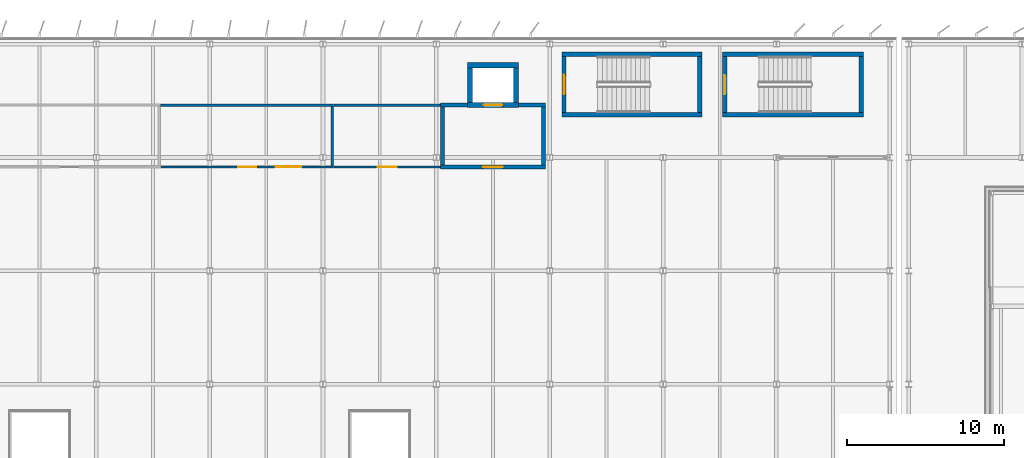
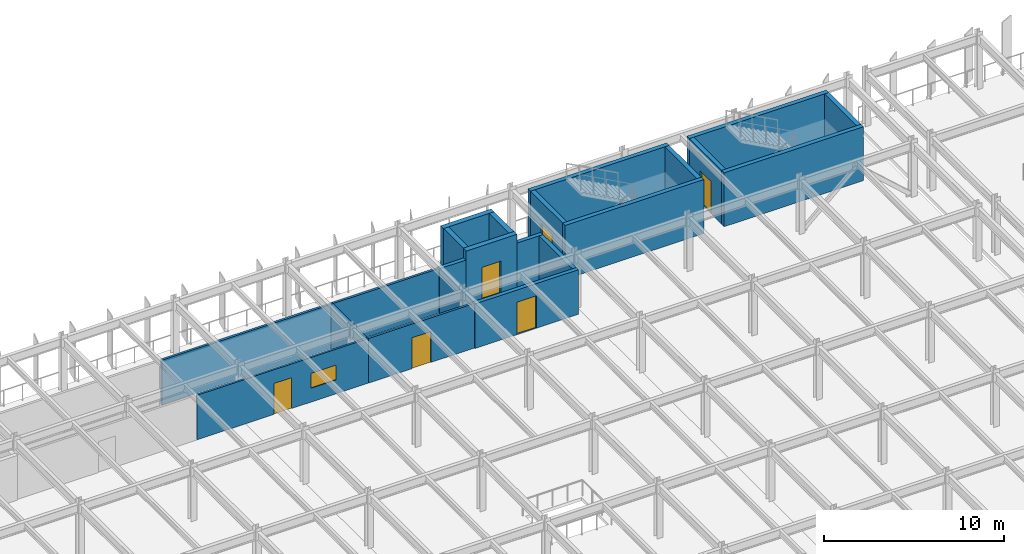
# One storey, part 35 of 52: 22 walls, 6 doors, 1 window, 7 openings.
"""IFC4 building model written with IfcOpenShell, lengths in metres."""

from ifc_helpers import new_model, si_unit, direction, frame, frame_2d, origin, place, context, subcontext, project, spatial, rectangle, extrude, material, layer, layer_set, type_object, element, fill, save


model = new_model("IFC4")

# Units and contexts
model_context = context("Model", 3, precision=1e-05, world=origin(), true_north=direction((0.0, 1.0)))
body_context = subcontext(model_context, "Body", "Model", "MODEL_VIEW")
ifc_project = project(units=[si_unit("LENGTHUNIT", "METRE"), si_unit("AREAUNIT", "SQUARE_METRE"), si_unit("VOLUMEUNIT", "CUBIC_METRE"), si_unit("PLANEANGLEUNIT", "RADIAN"), si_unit("MASSUNIT", "GRAM", prefix="KILO")], contexts=[model_context])

# Site, building, storey
site_placement = place(None, origin())
site = spatial("IfcSite", under=ifc_project, at=site_placement, CompositionType="ELEMENT")
building_placement = place(site_placement, origin())
building = spatial("IfcBuilding", under=site, at=building_placement, Name="Vaelcorin Mobility Hub", CompositionType="ELEMENT")
storey_placement = place(building_placement, frame((0.0, 0.0, 13.199951171875)))
storey = spatial("IfcBuildingStorey", under=building, at=storey_placement, Name="L03", CompositionType="ELEMENT", Elevation=13.199951171875)

# Walls
ifc_material_1 = material(Name="Reinforced concrete f'c 45 MPa", Category="concrete")
ifc_layer_1 = layer(ifc_material_1, 0.27490234375)
ifc_layer_set_1 = layer_set([ifc_layer_1], Name="Reinforced concrete f'c 45 MPa")
wall_type_1 = type_object("IfcWallType", Name="WL-CORE-275", PredefinedType="SOLIDWALL", material=ifc_layer_set_1)
for number, where, z_axis, x_axis, name in (
    (1, (110.47509765625, 115.511962890625, 0.0), (0.0, 0.0, 1.0), (-1.0, 0.0, 0.0), "ST4 Fire Core Wall L03 South"),
    (2, (101.574951171875, 119.347900390625, 0.0), (0.0, 0.0, 1.0), (1.0, 0.0, 0.0), "ST4 Fire Core Wall L03 North"),
):
    element("IfcWall", number, at=place(storey_placement, frame(where, z_axis=z_axis, x_axis=x_axis)), inside=storey, type_object=wall_type_1, Name=name, PredefinedType="SOLIDWALL", context=body_context, shape_type="SweptSolid", body=[
        extrude(rectangle(XDim=8.900146484375, YDim=0.27490234375, at=frame_2d((4.4501953125, 0.0))), origin(), (0.0, 0.0, 1.0), 3.66015625),
    ])

# Wall, opening, door
wall_1_placement = place(storey_placement, frame((101.7119140625, 115.64990234375, 0.0), z_axis=(0.0, 0.0, 1.0), x_axis=(0.0, 1.0, 0.0)))
wall_1 = element("IfcWall", 3, at=wall_1_placement, inside=storey, type_object=wall_type_1, Name="ST4 Fire Core Wall L03 West", PredefinedType="SOLIDWALL", context=body_context, shape_type="SweptSolid", body=[
    extrude(rectangle(XDim=3.56005859375, YDim=0.27490234375, at=frame_2d((1.780029296875, 0.0))), origin(), (0.0, 0.0, 1.0), 3.66015625),
])
opening_1_placement = place(wall_1_placement, frame((1.155029296875, 0.0, 0.0)))
opening_1 = element("IfcOpeningElement", 4, at=opening_1_placement, cuts=wall_1, Name="Opening SD02", PredefinedType="OPENING", context=body_context, shape_type="SweptSolid", body=[
    extrude(rectangle(XDim=1.25, YDim=2.199951171875, at=frame_2d((0.625, 1.10009765625))), frame((0.0, 0.1474609375, 0.0), z_axis=(0.0, -1.0, 0.0), x_axis=(1.0, 0.0, 0.0)), (0.0, 0.0, 1.0), 0.294921875),
])
ifc_material_2 = material(Name="Hollow-metal insulated steel fire door", Category="steel")
door_type_1 = type_object("IfcDoorType", Name="DR-STAIR-FF", OperationType="NOTDEFINED", PredefinedType="DOOR", material=ifc_material_2)
door_1_placement = place(opening_1_placement, origin())
door_1 = element("IfcDoor", 5, at=door_1_placement, inside=storey, type_object=door_type_1, Name="ST4 Protected Stair Door L03", OperationType="SINGLE_SWING_RIGHT", OverallHeight=2.199951171875, OverallWidth=1.25, PredefinedType="DOOR", context=body_context, shape_type="SweptSolid", body=[
    extrude(rectangle(XDim=1.25, YDim=2.199951171875, at=frame_2d((0.625, 1.10009765625))), frame((0.0, 0.02490234375, 0.0), z_axis=(0.0, -1.0, 0.0), x_axis=(1.0, 0.0, 0.0)), (0.0, 0.0, 1.0), 0.050048828125),
])
fill(opening_1, door_1)

# Walls
wall_2_placement = place(storey_placement, frame((110.337890625, 119.2099609375, 0.0), z_axis=(0.0, 0.0, 1.0), x_axis=(0.0, -1.0, 0.0)))
element("IfcWall", 6, at=wall_2_placement, inside=storey, type_object=wall_type_1, Name="ST4 Fire Core Wall L03 East", PredefinedType="SOLIDWALL", context=body_context, shape_type="SweptSolid", body=[
    extrude(rectangle(XDim=3.56005859375, YDim=0.27490234375, at=frame_2d((1.780029296875, 0.0))), origin(), (0.0, 0.0, 1.0), 3.66015625),
])
for number, where, z_axis, x_axis, name in (
    (7, (120.72509765625, 115.511962890625, 0.0), (0.0, 0.0, 1.0), (-1.0, 0.0, 0.0), "ST9 Fire Core Wall L03 South"),
    (8, (111.77490234375, 119.347900390625, 0.0), (0.0, 0.0, 1.0), (1.0, 0.0, 0.0), "ST9 Fire Core Wall L03 North"),
):
    element("IfcWall", number, at=place(storey_placement, frame(where, z_axis=z_axis, x_axis=x_axis)), inside=storey, type_object=wall_type_1, Name=name, PredefinedType="SOLIDWALL", context=body_context, shape_type="SweptSolid", body=[
        extrude(rectangle(XDim=8.9501953125, YDim=0.27490234375, at=frame_2d((4.47509765625, 0.0))), origin(), (0.0, 0.0, 1.0), 3.66015625),
    ])

# Wall, opening, door
wall_3_placement = place(storey_placement, frame((111.912109375, 115.64990234375, 0.0), z_axis=(0.0, 0.0, 1.0), x_axis=(0.0, 1.0, 0.0)))
wall_3 = element("IfcWall", 9, at=wall_3_placement, inside=storey, type_object=wall_type_1, Name="ST9 Fire Core Wall L03 West", PredefinedType="SOLIDWALL", context=body_context, shape_type="SweptSolid", body=[
    extrude(rectangle(XDim=3.56005859375, YDim=0.27490234375, at=frame_2d((1.780029296875, 0.0))), origin(), (0.0, 0.0, 1.0), 3.66015625),
])
opening_2_placement = place(wall_3_placement, frame((1.179931640625, 0.0, 0.0)))
opening_2 = element("IfcOpeningElement", 10, at=opening_2_placement, cuts=wall_3, Name="Opening SD01", PredefinedType="OPENING", context=body_context, shape_type="SweptSolid", body=[
    extrude(rectangle(XDim=1.199951171875, YDim=2.199951171875, at=frame_2d((0.60009765625, 1.10009765625))), frame((0.0, 0.1474609375, 0.0), z_axis=(0.0, -1.0, 0.0), x_axis=(1.0, 0.0, 0.0)), (0.0, 0.0, 1.0), 0.294921875),
])
door_type_2 = type_object("IfcDoorType", Name="DR-STAIR-90", OperationType="NOTDEFINED", PredefinedType="DOOR", material=ifc_material_2)
door_2_placement = place(opening_2_placement, origin())
door_2 = element("IfcDoor", 11, at=door_2_placement, inside=storey, type_object=door_type_2, Name="ST9 Protected Stair Door L03", OperationType="SINGLE_SWING_RIGHT", OverallHeight=2.199951171875, OverallWidth=1.199951171875, PredefinedType="DOOR", context=body_context, shape_type="SweptSolid", body=[
    extrude(rectangle(XDim=1.199951171875, YDim=2.199951171875, at=frame_2d((0.60009765625, 1.10009765625))), frame((0.0, 0.02490234375, 0.0), z_axis=(0.0, -1.0, 0.0), x_axis=(1.0, 0.0, 0.0)), (0.0, 0.0, 1.0), 0.050048828125),
])
fill(opening_2, door_2)

# Wall
wall_4_placement = place(storey_placement, frame((120.587890625, 119.2099609375, 0.0), z_axis=(0.0, 0.0, 1.0), x_axis=(0.0, -1.0, 0.0)))
element("IfcWall", 12, at=wall_4_placement, inside=storey, type_object=wall_type_1, Name="ST9 Fire Core Wall L03 East", PredefinedType="SOLIDWALL", context=body_context, shape_type="SweptSolid", body=[
    extrude(rectangle(XDim=3.56005859375, YDim=0.27490234375, at=frame_2d((1.780029296875, 0.0))), origin(), (0.0, 0.0, 1.0), 3.66015625),
])

# Wall, openings, door, window
ifc_material_3 = material(Name="Fire-rated acoustic steel-stud gypsum board", Category="steel")
ifc_layer_2 = layer(ifc_material_3, 0.1298828125)
ifc_layer_set_2 = layer_set([ifc_layer_2], Name="Fire-rated acoustic steel-stud gypsum board")
wall_type_2 = type_object("IfcWallType", Name="WL-PART-130", PredefinedType="PARTITIONING", material=ifc_layer_set_2)
wall_5_placement = place(storey_placement, frame((87.080078125, 112.199951171875, 0.0), z_axis=(0.0, 0.0, 1.0), x_axis=(-1.0, 0.0, 0.0)))
wall_5 = element("IfcWall", 13, at=wall_5_placement, inside=storey, type_object=wall_type_2, Name="Roof-Bridge Sky Waiting Lounge Partition South", PredefinedType="PARTITIONING", context=body_context, shape_type="SweptSolid", body=[
    extrude(rectangle(XDim=10.998046875, YDim=0.1298828125, at=frame_2d((5.4990234375, 0.0))), origin(), (0.0, 0.0, 1.0), 3.028076171875),
])
opening_3_placement = place(wall_5_placement, frame((4.924072265625, 0.0, 0.0)))
opening_3 = element("IfcOpeningElement", 14, at=opening_3_placement, cuts=wall_5, Name="Opening ID07", PredefinedType="OPENING", context=body_context, shape_type="SweptSolid", body=[
    extrude(rectangle(XDim=1.14990234375, YDim=2.10009765625, at=frame_2d((0.574951171875, 1.050048828125))), frame((0.0, 0.074951171875, 0.0), z_axis=(0.0, -1.0, 0.0), x_axis=(1.0, 0.0, 0.0)), (0.0, 0.0, 1.0), 0.14990234375),
])
opening_4_placement = place(wall_5_placement, frame((2.073974609375, 0.0, 0.949951171875)))
opening_4 = element("IfcOpeningElement", 15, at=opening_4_placement, cuts=wall_5, Name="Opening IW-WN04", PredefinedType="OPENING", context=body_context, shape_type="SweptSolid", body=[
    extrude(rectangle(XDim=1.60009765625, YDim=1.0, at=frame_2d((0.800048828125, 0.5))), frame((0.0, 0.074951171875, 0.0), z_axis=(0.0, -1.0, 0.0), x_axis=(1.0, 0.0, 0.0)), (0.0, 0.0, 1.0), 0.14990234375),
])
ifc_material_4 = material(Name="Solid-core hardwood fire door assembly", Category="wood")
door_type_3 = type_object("IfcDoorType", Name="DR-INT-07", OperationType="NOTDEFINED", PredefinedType="DOOR", material=ifc_material_4)
door_3_placement = place(opening_3_placement, origin())
door_3 = element("IfcDoor", 16, at=door_3_placement, inside=storey, type_object=door_type_3, Name="Roof-Bridge Sky Waiting Lounge Door", OperationType="SINGLE_SWING_LEFT", OverallHeight=2.10009765625, OverallWidth=1.14990234375, PredefinedType="DOOR", context=body_context, shape_type="SweptSolid", body=[
    extrude(rectangle(XDim=1.14990234375, YDim=2.10009765625, at=frame_2d((0.574951171875, 1.050048828125))), frame((0.0, 0.02490234375, 0.0), z_axis=(0.0, -1.0, 0.0), x_axis=(1.0, 0.0, 0.0)), (0.0, 0.0, 1.0), 0.050048828125),
])
fill(opening_3, door_3)
ifc_material_5 = material(Name="Acoustic laminated fire-rated interior glazing", Category="glass")
window_type = type_object("IfcWindowType", Name="WIN-INT-04", PartitioningType="SINGLE_PANEL", PredefinedType="WINDOW", material=ifc_material_5)
window_placement = place(opening_4_placement, origin())
window = element("IfcWindow", 17, at=window_placement, inside=storey, type_object=window_type, Name="Roof-Bridge Sky Waiting Lounge Observation Glazing", OverallHeight=1.0, OverallWidth=1.60009765625, PartitioningType="SINGLE_PANEL", PredefinedType="WINDOW", context=body_context, shape_type="SweptSolid", body=[
    extrude(rectangle(XDim=1.60009765625, YDim=1.0, at=frame_2d((0.800048828125, 0.5))), frame((0.0, 0.030029296875, 0.0), z_axis=(0.0, -1.0, 0.0), x_axis=(1.0, 0.0, 0.0)), (0.0, 0.0, 1.0), 0.06005859375),
])
fill(opening_4, window)

# Wall, opening, door
ifc_layer_3 = layer(ifc_material_3, 0.135009765625)
ifc_layer_set_3 = layer_set([ifc_layer_3], Name="Fire-rated acoustic steel-stud gypsum board")
wall_type_3 = type_object("IfcWallType", Name="WL-PART-135", PredefinedType="PARTITIONING", material=ifc_layer_set_3)
wall_6_placement = place(storey_placement, frame((93.873046875, 112.199951171875, 0.0), z_axis=(0.0, 0.0, 1.0), x_axis=(-1.0, 0.0, 0.0)))
wall_6 = element("IfcWall", 18, at=wall_6_placement, inside=storey, type_object=wall_type_3, Name="Accessible WC L03 Partition South", PredefinedType="PARTITIONING", context=body_context, shape_type="SweptSolid", body=[
    extrude(rectangle(XDim=6.791015625, YDim=0.135009765625, at=frame_2d((3.3955078125, 0.0))), origin(), (0.0, 0.0, 1.0), 3.028076171875),
])
opening_5_placement = place(wall_6_placement, frame((2.785888671875, 0.0, 0.0)))
opening_5 = element("IfcOpeningElement", 19, at=opening_5_placement, cuts=wall_6, Name="Opening ID08", PredefinedType="OPENING", context=body_context, shape_type="SweptSolid", body=[
    extrude(rectangle(XDim=1.219970703125, YDim=2.10009765625, at=frame_2d((0.60986328125, 1.050048828125))), frame((0.0, 0.077392578125, 0.0), z_axis=(0.0, -1.0, 0.0), x_axis=(1.0, 0.0, 0.0)), (0.0, 0.0, 1.0), 0.155029296875),
])
door_type_4 = type_object("IfcDoorType", Name="DR-INT-08", OperationType="NOTDEFINED", PredefinedType="DOOR", material=ifc_material_4)
door_4_placement = place(opening_5_placement, origin())
door_4 = element("IfcDoor", 20, at=door_4_placement, inside=storey, type_object=door_type_4, Name="Accessible WC L03 Door", OperationType="SINGLE_SWING_RIGHT", OverallHeight=2.10009765625, OverallWidth=1.219970703125, PredefinedType="DOOR", context=body_context, shape_type="SweptSolid", body=[
    extrude(rectangle(XDim=1.219970703125, YDim=2.10009765625, at=frame_2d((0.60986328125, 1.050048828125))), frame((0.0, 0.02490234375, 0.0), z_axis=(0.0, -1.0, 0.0), x_axis=(1.0, 0.0, 0.0)), (0.0, 0.0, 1.0), 0.050048828125),
])
fill(opening_5, door_4)

# Walls
ifc_layer_4 = layer(ifc_material_3, 0.14501953125)
ifc_layer_set_4 = layer_set([ifc_layer_4], Name="Fire-rated acoustic steel-stud gypsum board")
wall_type_4 = type_object("IfcWallType", Name="WL-PART-145", PredefinedType="PARTITIONING", material=ifc_layer_set_4)
wall_7_placement = place(storey_placement, frame((76.08203125, 116.125, 0.0), z_axis=(0.0, 0.0, 1.0), x_axis=(1.0, 0.0, 0.0)))
element("IfcWall", 21, at=wall_7_placement, inside=storey, type_object=wall_type_4, Name="Roof-Bridge Sky Waiting Lounge Partition North", PredefinedType="PARTITIONING", context=body_context, shape_type="SweptSolid", body=[
    extrude(rectangle(XDim=10.998046875, YDim=0.14501953125, at=frame_2d((5.4990234375, 0.0))), origin(), (0.0, 0.0, 1.0), 3.028076171875),
])
ifc_layer_5 = layer(ifc_material_3, 0.14990234375)
ifc_layer_set_5 = layer_set([ifc_layer_5], Name="Fire-rated acoustic steel-stud gypsum board")
wall_type_5 = type_object("IfcWallType", Name="WL-PART-150", PredefinedType="PARTITIONING", material=ifc_layer_set_5)
wall_8_placement = place(storey_placement, frame((87.08203125, 116.125, 0.0), z_axis=(0.0, 0.0, 1.0), x_axis=(1.0, 0.0, 0.0)))
element("IfcWall", 22, at=wall_8_placement, inside=storey, type_object=wall_type_5, Name="Accessible WC L03 Partition North", PredefinedType="PARTITIONING", context=body_context, shape_type="SweptSolid", body=[
    extrude(rectangle(XDim=6.791015625, YDim=0.14990234375, at=frame_2d((3.3955078125, 0.0))), origin(), (0.0, 0.0, 1.0), 3.028076171875),
])
ifc_layer_6 = layer(ifc_material_3, 0.159912109375)
ifc_layer_set_6 = layer_set([ifc_layer_6], Name="Fire-rated acoustic steel-stud gypsum board")
wall_type_6 = type_object("IfcWallType", Name="WL-PART-160", PredefinedType="PARTITIONING", material=ifc_layer_set_6)
wall_9_placement = place(storey_placement, frame((87.0, 116.048095703125, 0.0), z_axis=(0.0, 0.0, 1.0), x_axis=(0.0, -1.0, 0.0)))
element("IfcWall", 23, at=wall_9_placement, inside=storey, type_object=wall_type_6, Name="Roof-Bridge Sky Waiting Lounge Partition East", PredefinedType="PARTITIONING", context=body_context, shape_type="SweptSolid", body=[
    extrude(rectangle(XDim=3.778076171875, YDim=0.159912109375, at=frame_2d((1.88916015625, 0.0))), origin(), (0.0, 0.0, 1.0), 3.028076171875),
])

# Wall, opening, door
ifc_material_6 = material(Name="Reinforced acoustic concrete masonry C30/37", Category="masonry")
ifc_layer_7 = layer(ifc_material_6, 0.25)
ifc_layer_set_7 = layer_set([ifc_layer_7], Name="Reinforced acoustic concrete masonry C30/37")
wall_type_7 = type_object("IfcWallType", Name="WL-PART-250", PredefinedType="PARTITIONING", material=ifc_layer_set_7)
wall_10_placement = place(storey_placement, frame((100.52490234375, 112.199951171875, 0.0), z_axis=(0.0, 0.0, 1.0), x_axis=(-1.0, 0.0, 0.0)))
wall_10 = element("IfcWall", 24, at=wall_10_placement, inside=storey, type_object=wall_type_7, Name="Firefighting Lobby East L03 Partition South", PredefinedType="PARTITIONING", context=body_context, shape_type="SweptSolid", body=[
    extrude(rectangle(XDim=6.64990234375, YDim=0.25, at=frame_2d((3.324951171875, 0.0))), origin(), (0.0, 0.0, 1.0), 3.028076171875),
])
opening_6_placement = place(wall_10_placement, frame((2.699951171875, 0.0, 0.0)))
opening_6 = element("IfcOpeningElement", 25, at=opening_6_placement, cuts=wall_10, Name="Opening SD02", PredefinedType="OPENING", context=body_context, shape_type="SweptSolid", body=[
    extrude(rectangle(XDim=1.25, YDim=2.199951171875, at=frame_2d((0.625, 1.10009765625))), frame((0.0, 0.135009765625, 0.0), z_axis=(0.0, -1.0, 0.0), x_axis=(1.0, 0.0, 0.0)), (0.0, 0.0, 1.0), 0.27001953125),
])
door_5_placement = place(opening_6_placement, origin())
door_5 = element("IfcDoor", 26, at=door_5_placement, inside=storey, type_object=door_type_1, Name="Firefighting Lobby East L03 Door", OperationType="SINGLE_SWING_RIGHT", OverallHeight=2.199951171875, OverallWidth=1.25, PredefinedType="DOOR", context=body_context, shape_type="SweptSolid", body=[
    extrude(rectangle(XDim=1.25, YDim=2.199951171875, at=frame_2d((0.625, 1.10009765625))), frame((0.0, 0.02490234375, 0.0), z_axis=(0.0, -1.0, 0.0), x_axis=(1.0, 0.0, 0.0)), (0.0, 0.0, 1.0), 0.050048828125),
])
fill(opening_6, door_5)

# Walls
for number, where, z_axis, x_axis, name in (
    (27, (93.875, 116.137939453125, 0.0), (0.0, 0.0, 1.0), (1.0, 0.0, 0.0), "Firefighting Lobby East L03 Return Wall NW"),
    (28, (98.826904296875, 116.137939453125, 0.0), (0.0, 0.0, 1.0), (1.0, 0.0, 0.0), "Firefighting Lobby East L03 Return Wall NE"),
):
    element("IfcWall", number, at=place(storey_placement, frame(where, z_axis=z_axis, x_axis=x_axis)), inside=storey, type_object=wall_type_7, Name=name, PredefinedType="PARTITIONING", context=body_context, shape_type="SweptSolid", body=[
        extrude(rectangle(XDim=1.697998046875, YDim=0.25, at=frame_2d((0.84912109375, 0.0))), origin(), (0.0, 0.0, 1.0), 3.028076171875),
    ])
for number, where, z_axis, x_axis, name in (
    (29, (94.0, 112.326904296875, 0.0), (0.0, 0.0, 1.0), (0.0, 1.0, 0.0), "Firefighting Lobby East L03 Partition West"),
    (30, (100.39990234375, 116.010986328125, 0.0), (0.0, 0.0, 1.0), (0.0, -1.0, 0.0), "Firefighting Lobby East L03 Partition East"),
):
    element("IfcWall", number, at=place(storey_placement, frame(where, z_axis=z_axis, x_axis=x_axis)), inside=storey, type_object=wall_type_7, Name=name, PredefinedType="PARTITIONING", context=body_context, shape_type="SweptSolid", body=[
        extrude(rectangle(XDim=3.68408203125, YDim=0.25, at=frame_2d((1.842041015625, 0.0))), origin(), (0.0, 0.0, 1.0), 3.028076171875),
    ])

# Wall, opening, door
ifc_layer_8 = layer(ifc_material_1, 0.324951171875)
ifc_layer_set_8 = layer_set([ifc_layer_8], Name="Reinforced concrete f'c 45 MPa")
wall_type_8 = type_object("IfcWallType", Name="WL-SHEAR-325", PredefinedType="SHEAR", material=ifc_layer_set_8)
wall_11_placement = place(storey_placement, frame((98.824951171875, 116.137939453125, 0.0), z_axis=(0.0, 0.0, 1.0), x_axis=(-1.0, 0.0, 0.0)))
wall_11 = element("IfcWall", 31, at=wall_11_placement, inside=storey, type_object=wall_type_8, Name="LF2 Lift Shaft Shear Wall L03 South", PredefinedType="SHEAR", context=body_context, shape_type="SweptSolid", body=[
    extrude(rectangle(XDim=3.25, YDim=0.324951171875, at=frame_2d((1.625, 0.0))), origin(), (0.0, 0.0, 1.0), 3.66015625),
])
opening_7_placement = place(wall_11_placement, frame((1.02490234375, 0.0, 0.0)))
opening_7 = element("IfcOpeningElement", 32, at=opening_7_placement, cuts=wall_11, Name="Opening LD1", PredefinedType="OPENING", context=body_context, shape_type="SweptSolid", body=[
    extrude(rectangle(XDim=1.199951171875, YDim=2.199951171875, at=frame_2d((0.60009765625, 1.10009765625))), frame((0.0, 0.17236328125, 0.0), z_axis=(0.0, -1.0, 0.0), x_axis=(1.0, 0.0, 0.0)), (0.0, 0.0, 1.0), 0.344970703125),
])
ifc_material_7 = material(Name="Brushed stainless steel 316L", Category="steel")
door_type_5 = type_object("IfcDoorType", Name="DR-LIFT-LD1", OperationType="NOTDEFINED", PredefinedType="DOOR", material=ifc_material_7)
door_6_placement = place(opening_7_placement, origin())
door_6 = element("IfcDoor", 33, at=door_6_placement, inside=storey, type_object=door_type_5, Name="LF2 Lift Landing Sliding Door L03", OperationType="DOUBLE_DOOR_SLIDING", OverallHeight=2.199951171875, OverallWidth=1.199951171875, PredefinedType="DOOR", context=body_context, shape_type="SweptSolid", body=[
    extrude(rectangle(XDim=1.199951171875, YDim=2.199951171875, at=frame_2d((0.60009765625, 1.10009765625))), frame((0.0, 0.02490234375, 0.0), z_axis=(0.0, -1.0, 0.0), x_axis=(1.0, 0.0, 0.0)), (0.0, 0.0, 1.0), 0.050048828125),
])
fill(opening_7, door_6)

# Walls
wall_12_placement = place(storey_placement, frame((95.574951171875, 118.662109375, 0.0), z_axis=(0.0, 0.0, 1.0), x_axis=(1.0, 0.0, 0.0)))
element("IfcWall", 34, at=wall_12_placement, inside=storey, type_object=wall_type_8, Name="LF2 Lift Shaft Shear Wall L03 North", PredefinedType="SHEAR", context=body_context, shape_type="SweptSolid", body=[
    extrude(rectangle(XDim=3.25, YDim=0.324951171875, at=frame_2d((1.625, 0.0))), origin(), (0.0, 0.0, 1.0), 3.66015625),
])
for number, where, z_axis, x_axis, name in (
    (35, (95.738037109375, 116.300048828125, 0.0), (0.0, 0.0, 1.0), (0.0, 1.0, 0.0), "LF2 Lift Shaft Shear Wall L03 West"),
    (36, (98.662109375, 118.5, 0.0), (0.0, 0.0, 1.0), (0.0, -1.0, 0.0), "LF2 Lift Shaft Shear Wall L03 East"),
):
    element("IfcWall", number, at=place(storey_placement, frame(where, z_axis=z_axis, x_axis=x_axis)), inside=storey, type_object=wall_type_8, Name=name, PredefinedType="SHEAR", context=body_context, shape_type="SweptSolid", body=[
        extrude(rectangle(XDim=2.199951171875, YDim=0.324951171875, at=frame_2d((1.10009765625, 0.0))), origin(), (0.0, 0.0, 1.0), 3.66015625),
    ])

save(model, "model.ifc")
